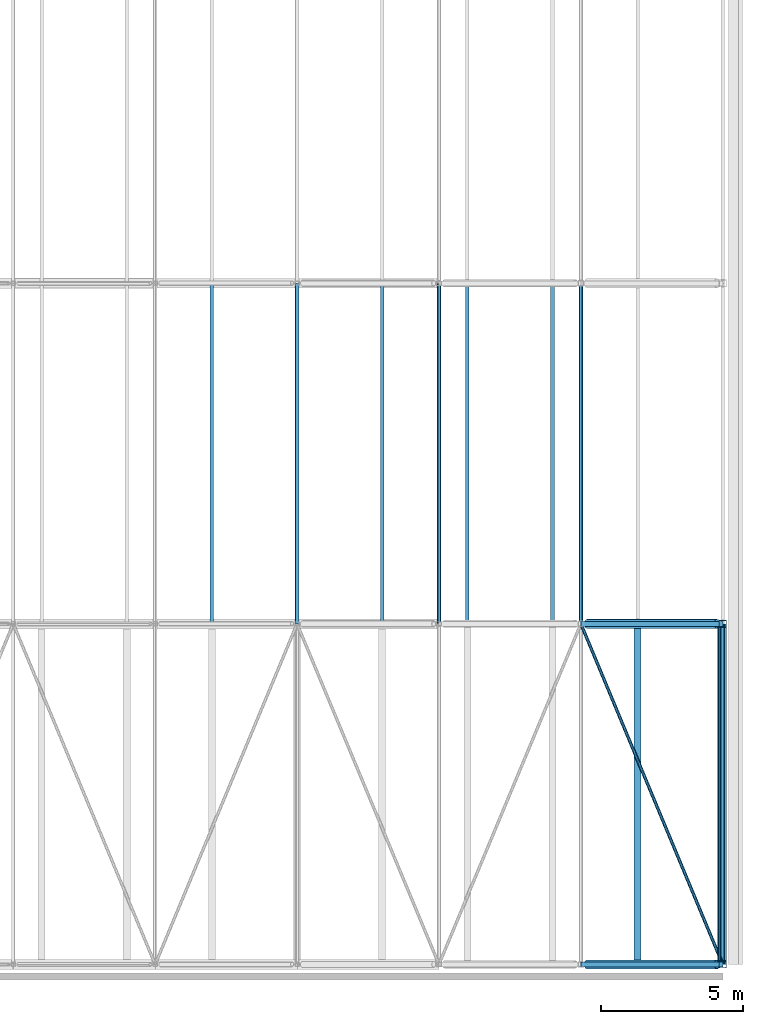
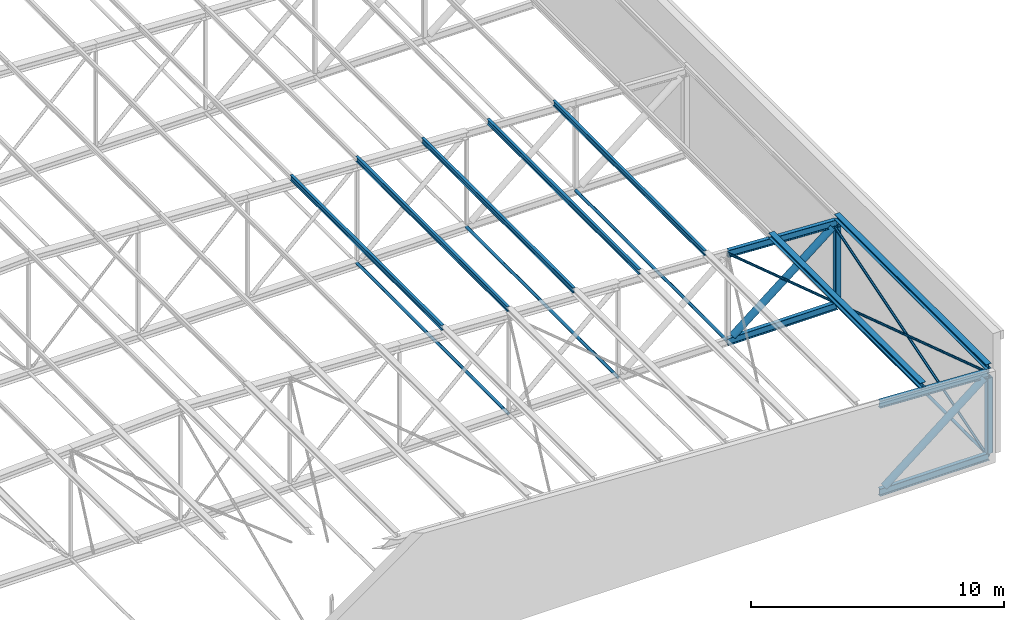
# One storey, part 41 of 156: 21 members.
"""IFC4 building model written with IfcOpenShell, lengths in metres."""

from ifc_helpers import new_model, si_unit, direction, frame, origin, origin_2d, place, context, subcontext, project, spatial, hollow_rectangle, hollow_circle, i_section, extrude, material, material_profile, profile_set, type_object, element, save


model = new_model("IFC4")

# Units and contexts
model_context = context("Model", 3, precision=1e-05, world=origin(), true_north=direction((0.0, 1.0)))
body_context = subcontext(model_context, "Body", "Model", "MODEL_VIEW")
ifc_project = project(units=[si_unit("LENGTHUNIT", "METRE"), si_unit("AREAUNIT", "SQUARE_METRE"), si_unit("VOLUMEUNIT", "CUBIC_METRE"), si_unit("PLANEANGLEUNIT", "RADIAN"), si_unit("MASSUNIT", "GRAM", prefix="KILO")], contexts=[model_context])

# Site, building, storey
site_placement = place(None, origin())
site = spatial("IfcSite", under=ifc_project, at=site_placement, CompositionType="ELEMENT")
building_placement = place(site_placement, origin())
building = spatial("IfcBuilding", under=site, at=building_placement, Name="Lilac Gate Convention Centre", CompositionType="ELEMENT")
storey_placement = place(building_placement, frame((0.0, 0.0, 17.0)))
storey = spatial("IfcBuildingStorey", under=building, at=storey_placement, Name="L03", CompositionType="ELEMENT", Elevation=17.0)

# Members
ifc_material = material(Name="Steel Q355B", Category="steel")
ifc_material_profile_1 = material_profile(ifc_material, hollow_circle(Radius=0.06982421875, WallThickness=0.0048828125, at=origin_2d()), Name="CHS139.7x5")
ifc_profile_set_1 = profile_set([ifc_material_profile_1], Name="Steel Q355B")
member_type_1 = type_object("IfcMemberType", Name="Bottom chord tie CHS139.7x5", PredefinedType="STRUT", material=ifc_profile_set_1)
member_1_placement = place(storey_placement, frame((90.0, 30.00341796875, 0.0), z_axis=(0.0, 1.0, 0.0), x_axis=(-1.0, 0.0, 0.0)))
element("IfcMember", 1, at=member_1_placement, inside=storey, type_object=member_type_1, Name="ST1 tie bay 1 node 13", PredefinedType="STRUT", context=body_context, shape_type="SweptSolid", body=[
    extrude(hollow_circle(Radius=0.06982421875, WallThickness=0.0048828125, at=origin_2d()), origin(), (0.0, 0.0, 1.0), 11.9931640625),
])
member_2_placement = place(storey_placement, frame((75.0, 42.006103515625, 0.0), z_axis=(0.0, 1.0, 0.0), x_axis=(-1.0, 0.0, 0.0)))
element("IfcMember", 2, at=member_2_placement, inside=storey, type_object=member_type_1, Name="ST1 tie bay 2 node 10", PredefinedType="STRUT", context=body_context, shape_type="SweptSolid", body=[
    extrude(hollow_circle(Radius=0.06982421875, WallThickness=0.0048828125, at=origin_2d()), origin(), (0.0, 0.0, 1.0), 11.98779296875),
])
for number, where, z_axis, x_axis, name in (
    (3, (80.0, 42.00341796875, 0.0), (0.0, 1.0, 0.0), (-1.0, 0.0, 0.0), "ST1 tie bay 2 node 11"),
    (4, (85.0, 42.00341796875, 0.0), (0.0, 1.0, 0.0), (-1.0, 0.0, 0.0), "ST1 tie bay 2 node 12"),
):
    element("IfcMember", number, at=place(storey_placement, frame(where, z_axis=z_axis, x_axis=x_axis)), inside=storey, type_object=member_type_1, Name=name, PredefinedType="STRUT", context=body_context, shape_type="SweptSolid", body=[
        extrude(hollow_circle(Radius=0.06982421875, WallThickness=0.0048828125, at=origin_2d()), origin(), (0.0, 0.0, 1.0), 11.9931640625),
    ])
ifc_material_profile_2 = material_profile(ifc_material, hollow_circle(Radius=0.05712890625, WallThickness=0.0048828125, at=origin_2d()), Name="CHS114.3x5")
ifc_profile_set_2 = profile_set([ifc_material_profile_2], Name="Steel Q355B")
member_type_2 = type_object("IfcMemberType", Name="Roof plane bracing CHS114.3x5", PredefinedType="BRACE", material=ifc_profile_set_2)
member_3_placement = place(storey_placement, frame((85.00146484375, 41.99658203125, 4.25), z_axis=(0.384538867181, -0.922908311091, -0.019238215751), x_axis=(0.923079146825, 0.384610047578, 0.0)))
element("IfcMember", 5, at=member_3_placement, inside=storey, type_object=member_type_2, Name="BR1 plan bracing bay 1 panel 12", PredefinedType="BRACE", context=body_context, shape_type="SweptSolid", body=[
    extrude(hollow_circle(Radius=0.05712890625, WallThickness=0.0048828125, at=origin_2d()), origin(), (0.0, 0.0, 1.0), 12.994873046875),
])
ifc_material_profile_3 = material_profile(ifc_material, i_section(OverallWidth=0.125, OverallDepth=0.25, WebThickness=0.006103515625, FlangeThickness=0.009033203125, FilletRadius=0.008056640625, at=origin_2d()), Name="HN250x125x6x9")
ifc_profile_set_3 = profile_set([ifc_material_profile_3], Name="Steel Q355B")
member_type_3 = type_object("IfcMemberType", Name="Roof purlin HN250x125x6x9", PredefinedType="PURLIN", material=ifc_profile_set_3)
for number, where, z_axis, x_axis, name in (
    (6, (72.0, 42.0, 5.2001953125), (0.0, 1.0, 0.0), (-1.0, 0.0, 0.0), "PU2 purlin bay 2 line 15"),
    (7, (75.0, 42.0, 5.05029296875), (0.0, 1.0, 0.0), (-1.0, 0.0, 0.0), "PU2 purlin bay 2 line 16"),
    (8, (78.0, 42.0, 4.900146484375), (0.0, 1.0, 0.0), (-1.0, 0.0, 0.0), "PU2 purlin bay 2 line 17"),
    (9, (81.0, 42.0, 4.750244140625), (0.0, 1.0, 0.0), (-1.0, 0.0, 0.0), "PU2 purlin bay 2 line 18"),
    (10, (84.0, 42.0, 4.60009765625), (0.0, 1.0, 0.0), (-1.0, 0.0, 0.0), "PU2 purlin bay 2 line 19"),
):
    element("IfcMember", number, at=place(storey_placement, frame(where, z_axis=z_axis, x_axis=x_axis)), inside=storey, type_object=member_type_3, Name=name, PredefinedType="PURLIN", context=body_context, shape_type="SweptSolid", body=[
        extrude(i_section(OverallWidth=0.125, OverallDepth=0.25, WebThickness=0.006103515625, FlangeThickness=0.009033203125, FilletRadius=0.008056640625, at=origin_2d()), origin(), (0.0, 0.0, 1.0), 12.0),
    ])
ifc_material_profile_4 = material_profile(ifc_material, i_section(OverallWidth=0.25, OverallDepth=0.25, WebThickness=0.009033203125, FlangeThickness=0.013916015625, FilletRadius=0.012939453125, at=origin_2d()), Name="HW250x250x9x14")
ifc_profile_set_4 = profile_set([ifc_material_profile_4], Name="Steel Q355B")
member_type_4 = type_object("IfcMemberType", Name="Roof purlin HW250x250x9x14", PredefinedType="PURLIN", material=ifc_profile_set_4)
for number, where, z_axis, x_axis, name in (
    (11, (87.0, 30.0, 4.4501953125), (0.0, 1.0, 0.0), (-1.0, 0.0, 0.0), "PU1 purlin bay 1 line 20"),
    (12, (90.0, 30.0, 4.30029296875), (0.0, 1.0, 0.0), (-1.0, 0.0, 0.0), "PU1 purlin bay 1 line 21"),
):
    element("IfcMember", number, at=place(storey_placement, frame(where, z_axis=z_axis, x_axis=x_axis)), inside=storey, type_object=member_type_4, Name=name, PredefinedType="PURLIN", context=body_context, shape_type="SweptSolid", body=[
        extrude(i_section(OverallWidth=0.25, OverallDepth=0.25, WebThickness=0.009033203125, FlangeThickness=0.013916015625, FilletRadius=0.012939453125, at=origin_2d()), origin(), (0.0, 0.0, 1.0), 12.0),
    ])
ifc_material_profile_5 = material_profile(ifc_material, i_section(OverallWidth=0.175048828125, OverallDepth=0.35009765625, WebThickness=0.007080078125, FlangeThickness=0.010986328125, FilletRadius=0.012939453125, at=origin_2d()), Name="HN350x175x7x11")
ifc_profile_set_5 = profile_set([ifc_material_profile_5], Name="Steel Q355B")
member_type_5 = type_object("IfcMemberType", Name="Truss bottom chord HN350x175x7x11", PredefinedType="CHORD", material=ifc_profile_set_5)
for number, where, z_axis, x_axis, name in (
    (13, (85.0, 30.0, 0.0), (1.0, 0.0, 0.0), (0.0, 1.0, 0.0), "TB1 truss 1 bottom chord 12"),
    (14, (85.0, 42.0, 0.0), (1.0, 0.0, 0.0), (0.0, 1.0, 0.0), "TB1 truss 2 bottom chord 12"),
):
    element("IfcMember", number, at=place(storey_placement, frame(where, z_axis=z_axis, x_axis=x_axis)), inside=storey, type_object=member_type_5, Name=name, PredefinedType="CHORD", context=body_context, shape_type="SweptSolid", body=[
        extrude(i_section(OverallWidth=0.175048828125, OverallDepth=0.35009765625, WebThickness=0.007080078125, FlangeThickness=0.010986328125, FilletRadius=0.012939453125, at=origin_2d()), origin(), (0.0, 0.0, 1.0), 5.0),
    ])
ifc_material_profile_6 = material_profile(ifc_material, hollow_circle(Radius=0.161865234375, WallThickness=0.011962890625, at=origin_2d()), Name="CHS323.9x12")
ifc_profile_set_6 = profile_set([ifc_material_profile_6], Name="Steel Q355B")
member_type_6 = type_object("IfcMemberType", Name="Truss diagonal CHS323.9x12", PredefinedType="BRACE", material=ifc_profile_set_6)
for number, where, z_axis, x_axis, name in (
    (15, (89.794677734375, 30.0, 3.835693359375), (-0.780876938611, 0.0, -0.624684885959), (0.0, -1.0, 0.0), "TW1 truss 1 diagonal 12"),
    (16, (89.794677734375, 42.0, 3.835693359375), (-0.780876938611, 0.0, -0.624684885959), (0.0, -1.0, 0.0), "TW1 truss 2 diagonal 12"),
):
    element("IfcMember", number, at=place(storey_placement, frame(where, z_axis=z_axis, x_axis=x_axis)), inside=storey, type_object=member_type_6, Name=name, PredefinedType="BRACE", context=body_context, shape_type="SweptSolid", body=[
        extrude(hollow_circle(Radius=0.161865234375, WallThickness=0.011962890625, at=origin_2d()), origin(), (0.0, 0.0, 1.0), 5.860107421875),
    ])
ifc_material_profile_7 = material_profile(ifc_material, i_section(OverallWidth=0.175048828125, OverallDepth=0.35009765625, WebThickness=0.007080078125, FlangeThickness=0.010986328125, FilletRadius=0.012939453125, at=origin_2d()), Name="HN350x175x7x11")
ifc_profile_set_7 = profile_set([ifc_material_profile_7], Name="Steel Q355B")
member_type_7 = type_object("IfcMemberType", Name="Truss top chord HN350x175x7x11", PredefinedType="CHORD", material=ifc_profile_set_7)
for number, where, z_axis, x_axis, name in (
    (17, (85.0, 30.0, 4.25), (0.998752338878, 0.0, -0.049937616944), (0.0, 1.0, 0.0), "TT1 truss 1 top chord 12"),
    (18, (85.0, 42.0, 4.25), (0.998752338878, 0.0, -0.049937616944), (0.0, 1.0, 0.0), "TT1 truss 2 top chord 12"),
):
    element("IfcMember", number, at=place(storey_placement, frame(where, z_axis=z_axis, x_axis=x_axis)), inside=storey, type_object=member_type_7, Name=name, PredefinedType="CHORD", context=body_context, shape_type="SweptSolid", body=[
        extrude(i_section(OverallWidth=0.175048828125, OverallDepth=0.35009765625, WebThickness=0.007080078125, FlangeThickness=0.010986328125, FilletRadius=0.012939453125, at=origin_2d()), origin(), (0.0, 0.0, 1.0), 5.00634765625),
    ])
ifc_material_profile_8 = material_profile(ifc_material, hollow_rectangle(XDim=0.25, YDim=0.25, WallThickness=0.010009765625, InnerFilletRadius=0.014892578125, OuterFilletRadius=0.02490234375, at=origin_2d()), Name="SHS250x250x10")
ifc_profile_set_8 = profile_set([ifc_material_profile_8], Name="Steel Q355B")
member_type_8 = type_object("IfcMemberType", Name="Truss vertical SHS250x250x10", PredefinedType="STRUT", material=ifc_profile_set_8)
for number, where, z_axis, x_axis, name in (
    (19, (90.0, 30.0, 0.175048828125), (0.0, 0.0, 1.0), (1.0, 0.0, 0.0), "TV1 truss 1 vertical 13"),
    (20, (90.0, 42.0, 0.175048828125), (0.0, 0.0, 1.0), (1.0, 0.0, 0.0), "TV1 truss 2 vertical 13"),
):
    element("IfcMember", number, at=place(storey_placement, frame(where, z_axis=z_axis, x_axis=x_axis)), inside=storey, type_object=member_type_8, Name=name, PredefinedType="STRUT", context=body_context, shape_type="SweptSolid", body=[
        extrude(hollow_rectangle(XDim=0.25, YDim=0.25, WallThickness=0.010009765625, InnerFilletRadius=0.014892578125, OuterFilletRadius=0.02490234375, at=origin_2d()), origin(), (0.0, 0.0, 1.0), 3.649658203125),
    ])
ifc_material_profile_9 = material_profile(ifc_material, hollow_circle(Radius=0.05712890625, WallThickness=0.006103515625, at=origin_2d()), Name="CHS114.3x6")
ifc_profile_set_9 = profile_set([ifc_material_profile_9], Name="Steel Q355B")
member_type_9 = type_object("IfcMemberType", Name="Vertical bracing CHS114.3x6", PredefinedType="BRACE", material=ifc_profile_set_9)
member_4_placement = place(storey_placement, frame((89.8798828125, 30.08740234375, 0.175048828125), z_axis=(0.0, 0.955386652678, 0.295357992757), x_axis=(-1.0, 0.0, 0.0)))
element("IfcMember", 21, at=member_4_placement, inside=storey, type_object=member_type_9, Name="BR2 vertical bracing bay 1 line 3", PredefinedType="BRACE", context=body_context, shape_type="SweptSolid", body=[
    extrude(hollow_circle(Radius=0.05712890625, WallThickness=0.006103515625, at=origin_2d()), origin(), (0.0, 0.0, 1.0), 12.37744140625),
])

save(model, "model.ifc")
